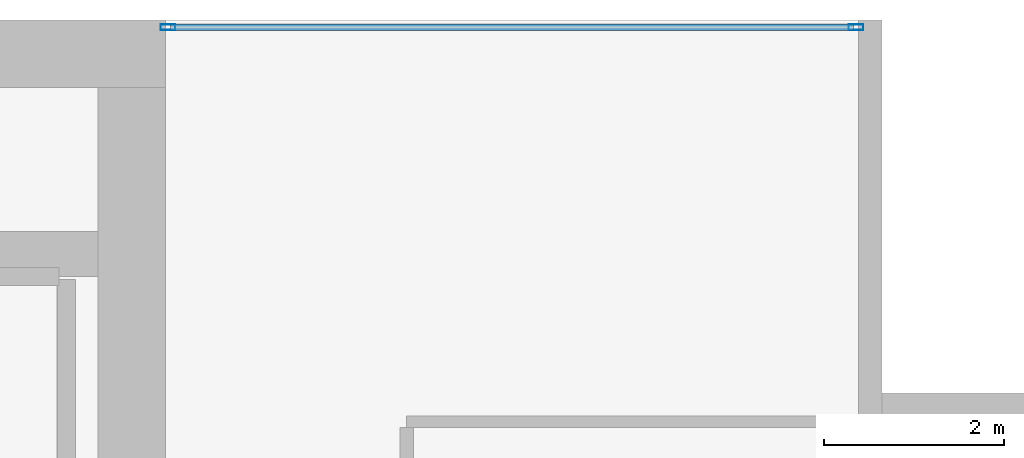
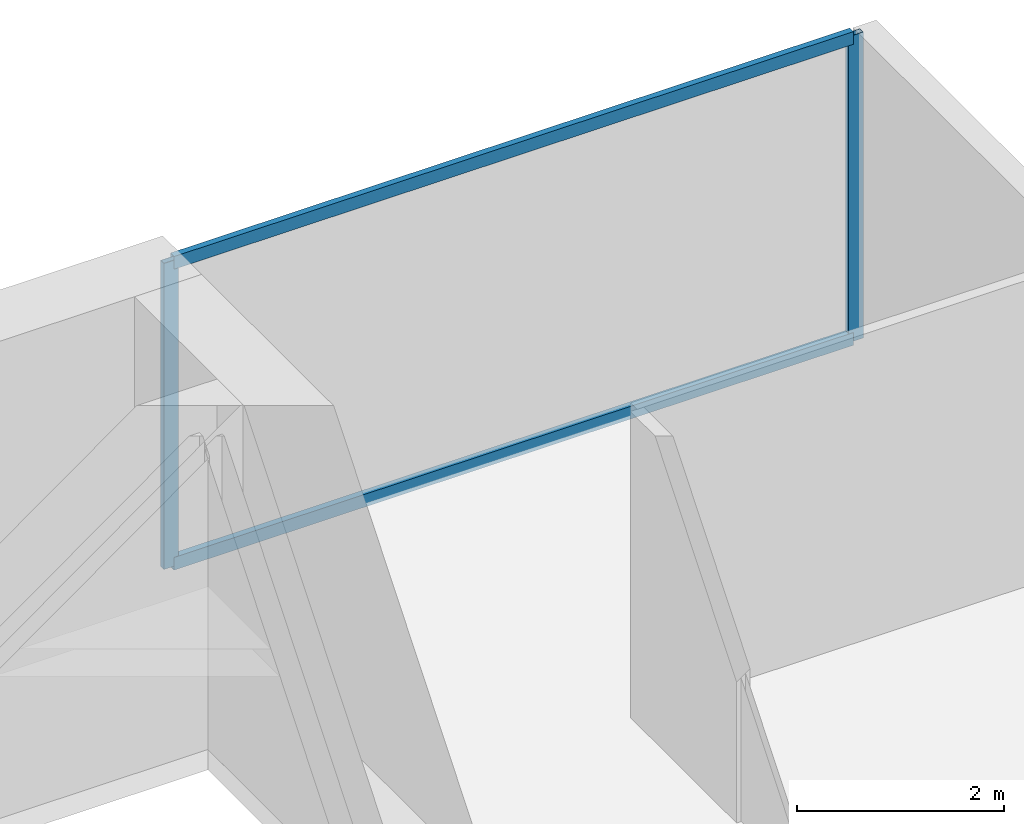
# One storey, part 25 of 33: 4 members, 1 element without a shape of its own.
"""IFC4 building model written with IfcOpenShell, lengths in metres."""

import ifcopenshell
import ifcopenshell.guid

model = None  # the IFC model being written
_history = None  # IfcOwnerHistory: only IFC2X3 demands one
_inside = {}  # id of a spatial element -> (the spatial element, [elements in it])
_under = {}  # id of a project, library or spatial element -> (it, [spatial elements below it])
_declared = {}  # id of a project -> (the project, [libraries it declares])
_typed = {}  # id of a type object -> (the type object, [elements of that type])
_made_of = {}  # id of a material, layer set ... -> (it, [elements and type objects made of it])


def new_model(schema):
    """Start an empty IFC model of exactly this schema.

    Asked for "IFC4X3", IfcOpenShell would pick the latest addendum, in which some entities
    have other attributes; the version numbers below select the first issue.
    IFC2X3 requires an IfcOwnerHistory on every rooted entity: one is made here for all.
    """
    global model, _history
    if schema == "IFC4X3":
        model = ifcopenshell.file(schema_version=(4, 3, 0, 0))
    else:
        model = ifcopenshell.file(schema=schema)
    _inside.clear()
    _under.clear()
    _declared.clear()
    _typed.clear()
    _made_of.clear()
    _history = None
    if model.schema == "IFC2X3":
        org = make("IfcOrganization", Name="unknown")
        user = make(
            "IfcPersonAndOrganization",
            ThePerson=make("IfcPerson", FamilyName="unknown"),
            TheOrganization=org,
        )
        app = make(
            "IfcApplication",
            ApplicationDeveloper=org,
            Version="unknown",
            ApplicationFullName="unknown",
            ApplicationIdentifier="unknown",
        )
        _history = make(
            "IfcOwnerHistory",
            OwningUser=user,
            OwningApplication=app,
            ChangeAction="ADDED",
            CreationDate=0,
        )
    return model


def make(cls, **values):
    """One entity of the class cls with the attributes given. An attribute that is None is left unset."""
    return model.create_entity(
        cls, **{name: value for name, value in values.items() if value is not None}
    )


def rooted(cls, **values):
    """An entity with a GlobalId (a new one), such as an element, a storey or a relation."""
    return make(cls, GlobalId=ifcopenshell.guid.new(), OwnerHistory=_history, **values)


def si_unit(unit_type, name, prefix=None):
    """IfcSIUnit, for example si_unit("LENGTHUNIT", "METRE", prefix="MILLI")."""
    return make("IfcSIUnit", UnitType=unit_type, Prefix=prefix, Name=name)


def assignment(units):
    """IfcUnitAssignment: the units of a project."""
    return None if units is None else make("IfcUnitAssignment", Units=units)


def point(xyz):
    """IfcCartesianPoint."""
    return None if xyz is None else make("IfcCartesianPoint", Coordinates=xyz)


def direction(xyz):
    """IfcDirection."""
    return None if xyz is None else make("IfcDirection", DirectionRatios=xyz)


def frame(location, z_axis=None, x_axis=None):
    """IfcAxis2Placement3D, a coordinate frame: its origin and axes. An axis left out is left unset."""
    return make(
        "IfcAxis2Placement3D",
        Location=point(location),
        Axis=direction(z_axis),
        RefDirection=direction(x_axis),
    )


def frame_2d(location, x_axis=None):
    """IfcAxis2Placement2D, a coordinate frame in the plane: its origin and x axis."""
    return make(
        "IfcAxis2Placement2D", Location=point(location), RefDirection=direction(x_axis)
    )


def origin():
    """The frame at (0, 0, 0) with its axes left unset."""
    return frame((0.0, 0.0, 0.0))


def origin_2d():
    """The frame at (0, 0) in the plane with its x axis left unset."""
    return frame_2d((0.0, 0.0))


def place(relative_to, where):
    """IfcLocalPlacement: puts the frame where relative to a parent placement (None: the world)."""
    return make(
        "IfcLocalPlacement", PlacementRelTo=relative_to, RelativePlacement=where
    )


def context(
    kind, dimensions, precision=None, world=None, true_north=None, identifier=None
):
    """IfcGeometricRepresentationContext, for example the 3D "Model" context."""
    return make(
        "IfcGeometricRepresentationContext",
        ContextIdentifier=identifier,
        ContextType=kind,
        CoordinateSpaceDimension=dimensions,
        Precision=precision,
        WorldCoordinateSystem=world,
        TrueNorth=true_north,
    )


def subcontext(parent, identifier, kind, view, scale=None):
    """IfcGeometricRepresentationSubContext, for example "Body" below "Model"."""
    return make(
        "IfcGeometricRepresentationSubContext",
        ContextIdentifier=identifier,
        ContextType=kind,
        ParentContext=parent,
        TargetScale=scale,
        TargetView=view,
    )


def project(units=None, contexts=None):
    """IfcProject with its units and contexts."""
    return rooted(
        "IfcProject",
        Name="project",
        RepresentationContexts=contexts,
        UnitsInContext=assignment(units),
    )


def spatial(cls, under=None, at=None, **own):
    """A site, building, storey or space (cls), placed at a placement, below another one or the project."""
    s = rooted(cls, ObjectPlacement=at, **own)
    if under is not None:
        _under.setdefault(under.id(), (under, []))[1].append(s)
    return s


def profile(cls, at=None, kind="AREA", **sizes):
    """A parametric profile (cls). Its sizes go by their IFC names, for example OverallWidth=200.0."""
    return make(cls, ProfileType=kind, Position=at, **sizes)


def hollow_rectangle(**sizes):
    """IfcRectangleHollowProfileDef."""
    return profile("IfcRectangleHollowProfileDef", **sizes)


def extrude(swept, where, along, depth):
    """IfcExtrudedAreaSolid: the profile swept, set in the frame where, extruded along a direction by depth."""
    return make(
        "IfcExtrudedAreaSolid",
        SweptArea=swept,
        Position=where,
        ExtrudedDirection=direction(along),
        Depth=depth,
    )


def shape(context_of_items, identifier, shape_type, items):
    """IfcShapeRepresentation: the items that make up one representation, for example the "Body"."""
    return make(
        "IfcShapeRepresentation",
        ContextOfItems=context_of_items,
        RepresentationIdentifier=identifier,
        RepresentationType=shape_type,
        Items=items,
    )


def material(Name=None, Category=None):
    """IfcMaterial."""
    return make("IfcMaterial", Name=Name, Category=Category)


def layer(
    of_material, thickness, ventilated=None, Name=None, Category=None, Priority=None
):
    """IfcMaterialLayer: one layer of a wall or slab, of a material (None: an air gap)."""
    return make(
        "IfcMaterialLayer",
        Material=of_material,
        LayerThickness=thickness,
        IsVentilated=ventilated,
        Name=Name,
        Category=Category,
        Priority=Priority,
    )


def layer_set(layers, Name=None):
    """IfcMaterialLayerSet."""
    return make("IfcMaterialLayerSet", MaterialLayers=layers, LayerSetName=Name)


def material_profile(
    of_material, cross_section, Name=None, Category=None, Priority=None
):
    """IfcMaterialProfile: a cross section and its material."""
    return make(
        "IfcMaterialProfile",
        Name=Name,
        Material=of_material,
        Profile=cross_section,
        Priority=Priority,
        Category=Category,
    )


def profile_set(profiles, Name=None, composite=None):
    """IfcMaterialProfileSet."""
    return make(
        "IfcMaterialProfileSet",
        Name=Name,
        MaterialProfiles=profiles,
        CompositeProfile=composite,
    )


def made_of(thing, what):
    """Note that an element or type object is made of a material, layer set ...; save() writes the relation."""
    if what is not None:
        _made_of.setdefault(what.id(), (what, []))[1].append(thing)
    return thing


def type_object(cls, material=None, **own):
    """A type object (cls), such as IfcWallType, which elements share."""
    return made_of(rooted(cls, **own), material)


def element(
    cls,
    number,
    at=None,
    inside=None,
    cuts=None,
    type_object=None,
    material=None,
    context=None,
    identifier="Body",
    shape_type=None,
    held_by="IfcProductDefinitionShape",
    body=None,
    shapes=None,
    **own,
):
    """One element of the class cls, such as IfcWall. Its Tag is "e" and its number.

    at: its placement. inside: the storey or other place that contains it. cuts: it is an
    opening in that element (IfcRelVoidsElement). A single representation is given by context,
    identifier, shape_type and body (its items); several are given by shapes. held_by: the class
    of the entity that holds the representations. save() writes the other relations.
    """
    e = rooted(cls, Tag="e%d" % number, ObjectPlacement=at, **own)
    if body is not None:
        shapes = [shape(context, identifier, shape_type, body)]
    if shapes is not None:
        e.Representation = make(held_by, Representations=shapes)
    if inside is not None:
        _inside.setdefault(inside.id(), (inside, []))[1].append(e)
    if cuts is not None:
        rooted(
            "IfcRelVoidsElement", RelatingBuildingElement=cuts, RelatedOpeningElement=e
        )
    if type_object is not None:
        _typed.setdefault(type_object.id(), (type_object, []))[1].append(e)
    return made_of(e, material)


def aggregate(whole, parts):
    """IfcRelAggregates: a whole, such as a stair, and the parts it consists of."""
    return rooted("IfcRelAggregates", RelatingObject=whole, RelatedObjects=parts)


def save(model, path):
    """Write the relations noted so far, then the file.

    IfcRelAggregates (storeys below a building ...), IfcRelContainedInSpatialStructure (elements
    in a storey), IfcRelDefinesByType, IfcRelAssociatesMaterial and IfcRelDeclares: one each for
    every whole, place, type object, material and project.
    """
    for whole, parts in _under.values():
        aggregate(whole, parts)
    for where, things in _inside.values():
        rooted(
            "IfcRelContainedInSpatialStructure",
            RelatedElements=things,
            RelatingStructure=where,
        )
    for kind, things in _typed.values():
        rooted("IfcRelDefinesByType", RelatedObjects=things, RelatingType=kind)
    for what, things in _made_of.values():
        rooted("IfcRelAssociatesMaterial", RelatedObjects=things, RelatingMaterial=what)
    for by, libraries in _declared.values():
        rooted("IfcRelDeclares", RelatingContext=by, RelatedDefinitions=libraries)
    model.write(path)


model = new_model("IFC4")

# Units and contexts
model_context = context("Model", 3, precision=1e-05, world=origin(), true_north=direction((0.0, 1.0)))
body_context = subcontext(model_context, "Body", "Model", "MODEL_VIEW")
ifc_project = project(units=[si_unit("LENGTHUNIT", "METRE"), si_unit("AREAUNIT", "SQUARE_METRE"), si_unit("VOLUMEUNIT", "CUBIC_METRE"), si_unit("PLANEANGLEUNIT", "RADIAN"), si_unit("MASSUNIT", "GRAM", prefix="KILO")], contexts=[model_context])

# Site, building, storey
site_placement = place(None, origin())
site = spatial("IfcSite", under=ifc_project, at=site_placement, CompositionType="ELEMENT")
building_placement = place(site_placement, origin())
building = spatial("IfcBuilding", under=site, at=building_placement, Name="Maruvema Waterfront Hotel and Observation Tower", CompositionType="ELEMENT")
storey_placement = place(building_placement, frame((0.0, 0.0, 158.199951171875)))
storey = spatial("IfcBuildingStorey", under=building, at=storey_placement, Name="L38", CompositionType="ELEMENT", Elevation=158.199951171875)

# Curtain wall, members
ifc_material_1 = material(Name="Anodised bronze aluminium and solar-control low-E IGU", Category="aluminium")
ifc_layer = layer(ifc_material_1, 0.159912109375, Name="Zone 2 Amber Inner Thermal Curtain Wall System CW-03")
ifc_layer_set = layer_set([ifc_layer], Name="Anodised bronze aluminium and solar-control low-E IGU")
curtain_wall_type = type_object("IfcCurtainWallType", Name="Zone 2 Amber Inner Thermal Curtain Wall System CW-03", PredefinedType="USERDEFINED", material=ifc_layer_set)
curtain_wall_placement = place(storey_placement, origin())
curtain_wall = element("IfcCurtainWall", 1, at=curtain_wall_placement, inside=storey, type_object=curtain_wall_type, Name="L38 Curtain Wall CW-L38-NE", ObjectType="UNITISED CURTAIN WALL", PredefinedType="USERDEFINED")
ifc_material_2 = material(Name="Anodised architectural bronze aluminium", Category="aluminium")
ifc_material_profile_1 = material_profile(ifc_material_2, hollow_rectangle(XDim=0.070068359375, YDim=0.14990234375, WallThickness=0.00390625, at=origin_2d()), Name="ALU-T70x150")
ifc_profile_set_1 = profile_set([ifc_material_profile_1], Name="Anodised architectural bronze aluminium")
member_type_1 = type_object("IfcMemberType", Name="Curtain Wall Horizontal Transom ALU-T70x150", PredefinedType="USERDEFINED", material=ifc_profile_set_1)
member_1_placement = place(storey_placement, frame((58.0400390625, 53.919921875, 0.030029296875), z_axis=(-1.0, 0.0, 0.0), x_axis=(0.0, -1.0, 0.0)))
member_1 = element("IfcMember", 2, at=member_1_placement, type_object=member_type_1, Name="CW-03 transom 1.1", ObjectType="TRANSOM", PredefinedType="USERDEFINED", context=body_context, shape_type="SweptSolid", body=[
    extrude(hollow_rectangle(XDim=0.070068359375, YDim=0.14990234375, WallThickness=0.00390625, at=origin_2d()), origin(), (0.0, 0.0, 1.0), 7.580078125),
])
member_2_placement = place(storey_placement, frame((58.0400390625, 53.919921875, 3.580078125), z_axis=(-1.0, 0.0, 0.0), x_axis=(0.0, -1.0, 0.0)))
member_2 = element("IfcMember", 3, at=member_2_placement, type_object=member_type_1, Name="CW-03 transom 1.2", ObjectType="TRANSOM", PredefinedType="USERDEFINED", context=body_context, shape_type="SweptSolid", body=[
    extrude(hollow_rectangle(XDim=0.070068359375, YDim=0.14990234375, WallThickness=0.00390625, at=origin_2d()), origin(), (0.0, 0.0, 1.0), 7.580078125),
])
ifc_material_3 = material(Name="Anodised architectural bronze aluminium", Category="aluminium")
ifc_material_profile_2 = material_profile(ifc_material_3, hollow_rectangle(XDim=0.06494140625, YDim=0.1650390625, WallThickness=0.00390625, at=origin_2d()), Name="ALU-M65x165")
ifc_profile_set_2 = profile_set([ifc_material_profile_2], Name="Anodised architectural bronze aluminium")
member_type_2 = type_object("IfcMemberType", Name="Curtain Wall Primary Mullion ALU-M65x165", PredefinedType="MULLION", material=ifc_profile_set_2)
member_3_placement = place(storey_placement, frame((58.070068359375, 53.919921875, 0.0), z_axis=(0.0, 0.0, 1.0), x_axis=(0.0, -1.0, 0.0)))
member_3 = element("IfcMember", 4, at=member_3_placement, type_object=member_type_2, Name="CW-03 mullion 1", PredefinedType="MULLION", context=body_context, shape_type="SweptSolid", body=[
    extrude(hollow_rectangle(XDim=0.06494140625, YDim=0.1650390625, WallThickness=0.00390625, at=origin_2d()), origin(), (0.0, 0.0, 1.0), 3.610107421875),
])
member_4_placement = place(storey_placement, frame((50.429931640625, 53.919921875, 0.0), z_axis=(0.0, 0.0, 1.0), x_axis=(0.0, -1.0, 0.0)))
member_4 = element("IfcMember", 5, at=member_4_placement, type_object=member_type_2, Name="CW-03 mullion 2", PredefinedType="MULLION", context=body_context, shape_type="SweptSolid", body=[
    extrude(hollow_rectangle(XDim=0.06494140625, YDim=0.1650390625, WallThickness=0.00390625, at=origin_2d()), origin(), (0.0, 0.0, 1.0), 3.610107421875),
])
aggregate(curtain_wall, [member_3, member_4, member_1, member_2])

save(model, "model.ifc")
